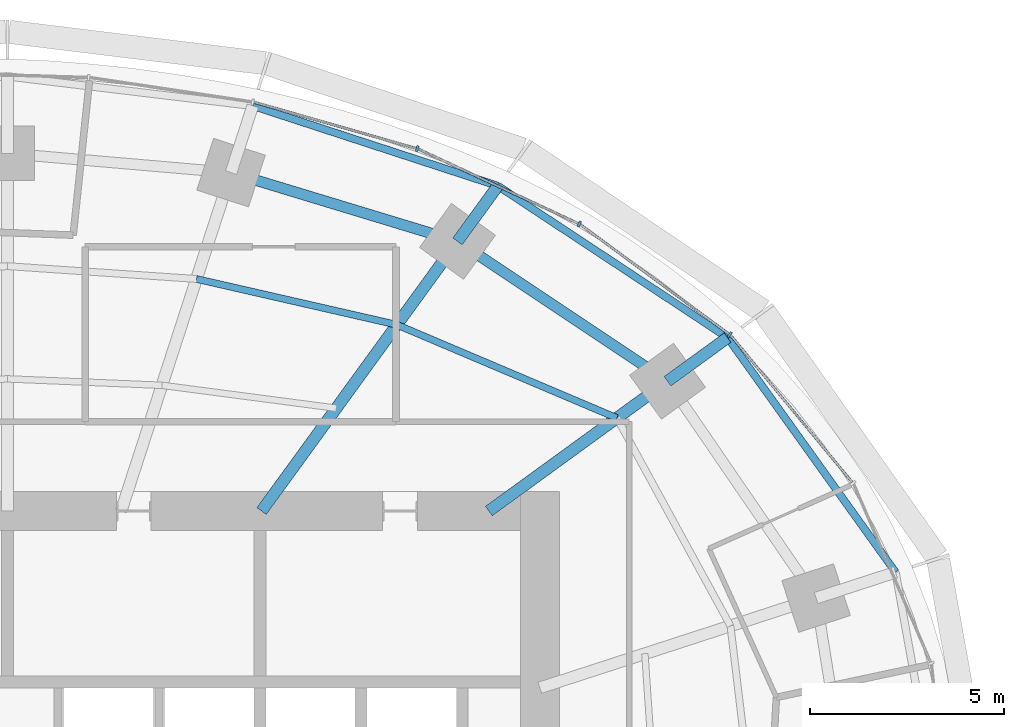
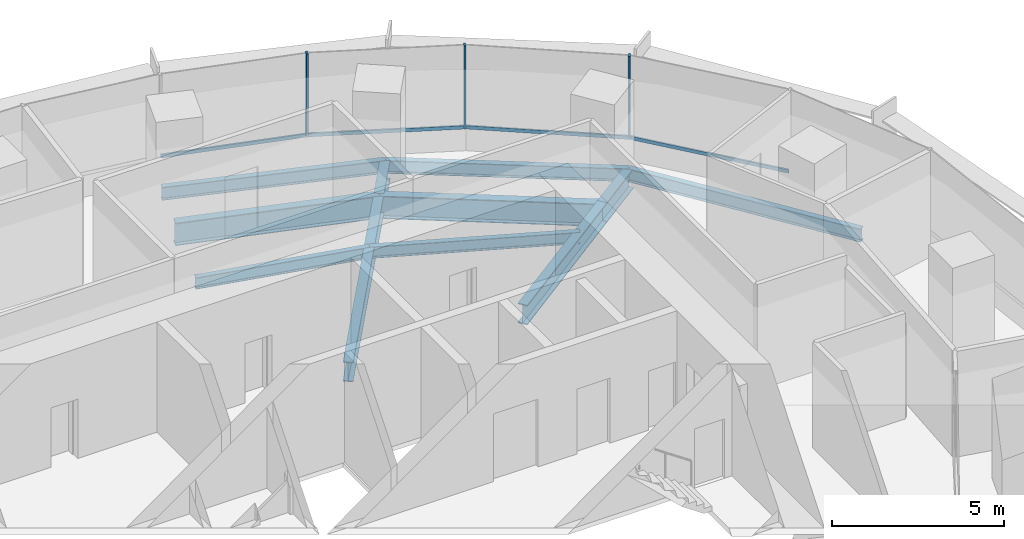
# One storey, part 8 of 15: 11 beams, 7 members, 2 elements without a shape of their own.
"""IFC4 building model written with IfcOpenShell, lengths in metres."""

from ifc_helpers import new_model, si_unit, direction, frame, origin, origin_2d, place, context, subcontext, project, spatial, rectangle, i_section, extrude, material, material_profile, profile_set, type_object, element, aggregate, save


model = new_model("IFC4")

# Units and contexts
model_context = context("Model", 3, precision=1e-05, world=origin(), true_north=direction((0.0, 1.0)))
body_context = subcontext(model_context, "Body", "Model", "MODEL_VIEW")
ifc_project = project(units=[si_unit("LENGTHUNIT", "METRE"), si_unit("AREAUNIT", "SQUARE_METRE"), si_unit("VOLUMEUNIT", "CUBIC_METRE"), si_unit("PLANEANGLEUNIT", "RADIAN"), si_unit("MASSUNIT", "GRAM", prefix="KILO")], contexts=[model_context])

# Site, building, storey
site_placement = place(None, origin())
site = spatial("IfcSite", under=ifc_project, at=site_placement, CompositionType="ELEMENT")
building_placement = place(site_placement, origin())
building = spatial("IfcBuilding", under=site, at=building_placement, Name="Marramba Exchange Tower", CompositionType="ELEMENT")
storey_placement = place(building_placement, frame((0.0, 0.0, 207.199951171875)))
storey = spatial("IfcBuildingStorey", under=building, at=storey_placement, Name="L50", CompositionType="ELEMENT", Elevation=207.199951171875)

# Beams
ifc_material_1 = material(Name="Steel AS/NZS 3679.2 grade 300", Category="steel")
ifc_material_profile_1 = material_profile(ifc_material_1, i_section(OverallWidth=0.300048828125, OverallDepth=0.699951171875, WebThickness=0.010009765625, FlangeThickness=0.031982421875, at=origin_2d()), Name="700WB173")
ifc_profile_set_1 = profile_set([ifc_material_profile_1], Name="Steel AS/NZS 3679.2 grade 300")
beam_type_1 = type_object("IfcBeamType", Name="Cantilever girder 700WB173", PredefinedType="BEAM", material=ifc_profile_set_1)
beam_1_placement = place(storey_placement, frame((16.98583984375, 12.3408203125, -0.510009765625), z_axis=(0.808962750283, 0.587859905636, 0.0), x_axis=(-0.587859905636, 0.808962750283, 0.0)))
element("IfcBeam", 1, at=beam_1_placement, inside=storey, type_object=beam_type_1, Name="Cantilever girder L50 TC03", PredefinedType="BEAM", context=body_context, shape_type="SweptSolid", body=[
    extrude(i_section(OverallWidth=0.300048828125, OverallDepth=0.699951171875, WebThickness=0.010009765625, FlangeThickness=0.031982421875, at=origin_2d()), origin(), (0.0, 0.0, 1.0), 1.9091796875),
])
beam_2_placement = place(storey_placement, frame((11.581298828125, 15.9404296875, -0.510009765625), z_axis=(0.587817766387, 0.808993370504, 0.0), x_axis=(-0.808993370504, 0.587817766387, 0.0)))
element("IfcBeam", 2, at=beam_2_placement, inside=storey, type_object=beam_type_1, Name="Cantilever girder L50 TC04", PredefinedType="BEAM", context=body_context, shape_type="SweptSolid", body=[
    extrude(i_section(OverallWidth=0.300048828125, OverallDepth=0.699951171875, WebThickness=0.010009765625, FlangeThickness=0.031982421875, at=origin_2d()), origin(), (0.0, 0.0, 1.0), 1.763916015625),
])
ifc_material_2 = material(Name="Steel AS/NZS 3679.1 grade 300", Category="steel")
ifc_material_profile_2 = material_profile(ifc_material_2, i_section(OverallWidth=0.177978515625, OverallDepth=0.406005859375, WebThickness=0.0078125, FlangeThickness=0.0126953125, FilletRadius=0.011474609375, at=origin_2d()), Name="410UB59.7")
ifc_profile_set_2 = profile_set([ifc_material_profile_2], Name="Steel AS/NZS 3679.1 grade 300")
beam_type_2 = type_object("IfcBeamType", Name="Floor joist 410UB59.7", PredefinedType="JOIST", material=ifc_profile_set_2)
beam_3_placement = place(storey_placement, frame((15.682373046875, 11.393798828125, -0.363037109375), z_axis=(-0.920674336375, 0.390331610738, 0.0), x_axis=(-0.390331610738, -0.920674336375, 0.0)))
element("IfcBeam", 3, at=beam_3_placement, inside=storey, type_object=beam_type_2, Name="Joist L50 bay 03 row 2", PredefinedType="JOIST", context=body_context, shape_type="SweptSolid", body=[
    extrude(i_section(OverallWidth=0.177978515625, OverallDepth=0.406005859375, WebThickness=0.0078125, FlangeThickness=0.0126953125, FilletRadius=0.011474609375, at=origin_2d()), origin(), (0.0, 0.0, 1.0), 6.1484375),
])
beam_4_placement = place(storey_placement, frame((10.021728515625, 13.793701171875, -0.363037109375), z_axis=(-0.974859652292, 0.222819788916, 0.0), x_axis=(-0.222819788916, -0.974859652292, 0.0)))
element("IfcBeam", 4, at=beam_4_placement, inside=storey, type_object=beam_type_2, Name="Joist L50 bay 04 row 2", PredefinedType="JOIST", context=body_context, shape_type="SweptSolid", body=[
    extrude(i_section(OverallWidth=0.177978515625, OverallDepth=0.406005859375, WebThickness=0.0078125, FlangeThickness=0.0126953125, FilletRadius=0.011474609375, at=origin_2d()), origin(), (0.0, 0.0, 1.0), 5.2900390625),
])

# Curtain wall, members
ifc_material_3 = material(Name="Aluminium framing, bronze anodised", Category="aluminium")
curtain_wall_type = type_object("IfcCurtainWallType", Name="Office ribbon curtain wall", PredefinedType="USERDEFINED", material=ifc_material_3)
curtain_wall_1_placement = place(storey_placement, origin())
curtain_wall_1 = element("IfcCurtainWall", 5, at=curtain_wall_1_placement, inside=storey, type_object=curtain_wall_type, Name="Curtain wall CW4 L50 F01-F05", ObjectType="RIBBON CURTAIN WALL", PredefinedType="USERDEFINED")
ifc_material_4 = material(Name="Aluminium mullion, bronze anodised", Category="aluminium")
ifc_material_profile_3 = material_profile(ifc_material_4, rectangle(XDim=0.159912109375, YDim=0.06005859375, at=origin_2d()), Name="CW4 mullion 60x160")
ifc_profile_set_3 = profile_set([ifc_material_profile_3], Name="Aluminium mullion, bronze anodised")
member_type_1 = type_object("IfcMemberType", Name="Office ribbon curtain wall mullion", PredefinedType="MULLION", material=ifc_profile_set_3)
member_1_placement = place(storey_placement, frame((18.587158203125, 13.53955078125, 0.800048828125), z_axis=(0.0, 0.0, 1.0), x_axis=(-0.593441317494, -0.804877259395, 0.0)))
member_1 = element("IfcMember", 6, at=member_1_placement, type_object=member_type_1, Name="CW4 mullion 1", PredefinedType="MULLION", context=body_context, shape_type="SweptSolid", body=[
    extrude(rectangle(XDim=0.159912109375, YDim=0.06005859375, at=origin_2d()), origin(), (0.0, 0.0, 1.0), 2.93994140625),
])
member_2_placement = place(storey_placement, frame((14.7158203125, 16.386474609375, 0.800048828125), z_axis=(0.0, 0.0, 1.0), x_axis=(-0.422133006189, -0.906533907301, 0.0)))
member_2 = element("IfcMember", 7, at=member_2_placement, type_object=member_type_1, Name="CW4 mullion 1", PredefinedType="MULLION", context=body_context, shape_type="SweptSolid", body=[
    extrude(rectangle(XDim=0.159912109375, YDim=0.06005859375, at=origin_2d()), origin(), (0.0, 0.0, 1.0), 2.93994140625),
])

# Curtain wall, member
curtain_wall_2_placement = place(storey_placement, origin())
curtain_wall_2 = element("IfcCurtainWall", 8, at=curtain_wall_2_placement, inside=storey, type_object=curtain_wall_type, Name="Curtain wall CW4 L50 F06-F10", ObjectType="RIBBON CURTAIN WALL", PredefinedType="USERDEFINED")
member_3_placement = place(storey_placement, frame((10.54541015625, 18.3232421875, 0.800048828125), z_axis=(0.0, 0.0, 1.0), x_axis=(-0.274248164656, -0.961658954195, 0.0)))
member_3 = element("IfcMember", 9, at=member_3_placement, type_object=member_type_1, Name="CW4 mullion 1", PredefinedType="MULLION", context=body_context, shape_type="SweptSolid", body=[
    extrude(rectangle(XDim=0.159912109375, YDim=0.06005859375, at=origin_2d()), origin(), (0.0, 0.0, 1.0), 2.93994140625),
])

# Member
ifc_material_5 = material(Name="Aluminium transom, bronze anodised", Category="aluminium")
ifc_material_profile_4 = material_profile(ifc_material_5, rectangle(XDim=0.06005859375, YDim=0.1201171875, at=origin_2d()), Name="CW4 transom 60x120")
ifc_profile_set_4 = profile_set([ifc_material_profile_4], Name="Aluminium transom, bronze anodised")
member_type_2 = type_object("IfcMemberType", Name="Office ribbon curtain wall transom", PredefinedType="USERDEFINED", material=ifc_profile_set_4)
member_4_placement = place(storey_placement, frame((21.73779296875, 9.74169921875, 0.830078125), z_axis=(-0.637375191043, 0.770553609973, 0.0), x_axis=(-0.770553609973, -0.637375191043, 0.0)))
member_4 = element("IfcMember", 10, at=member_4_placement, type_object=member_type_2, Name="CW4 sill transom", ObjectType="TRANSOM", PredefinedType="USERDEFINED", context=body_context, shape_type="SweptSolid", body=[
    extrude(rectangle(XDim=0.06005859375, YDim=0.1201171875, at=origin_2d()), origin(), (0.0, 0.0, 1.0), 4.905517578125),
])

member_5_placement = place(storey_placement, frame((18.56298828125, 13.557373046875, 0.830078125), z_axis=(-0.804874780157, 0.593444680039, 0.0), x_axis=(-0.593444680039, -0.804874780157, 0.0)))
member_5 = element("IfcMember", 11, at=member_5_placement, type_object=member_type_2, Name="CW4 sill transom", ObjectType="TRANSOM", PredefinedType="USERDEFINED", context=body_context, shape_type="SweptSolid", body=[
    extrude(rectangle(XDim=0.06005859375, YDim=0.1201171875, at=origin_2d()), origin(), (0.0, 0.0, 1.0), 4.745849609375),
])

member_6_placement = place(storey_placement, frame((14.688720703125, 16.399169921875, 0.830078125), z_axis=(-0.906548348139, 0.422101992989, 0.0), x_axis=(-0.422101992989, -0.906548348139, 0.0)))
member_6 = element("IfcMember", 12, at=member_6_placement, type_object=member_type_2, Name="CW4 sill transom", ObjectType="TRANSOM", PredefinedType="USERDEFINED", context=body_context, shape_type="SweptSolid", body=[
    extrude(rectangle(XDim=0.06005859375, YDim=0.1201171875, at=origin_2d()), origin(), (0.0, 0.0, 1.0), 4.53857421875),
])

aggregate(curtain_wall_1, [member_4, member_1, member_5, member_2, member_6])

member_7_placement = place(storey_placement, frame((10.5166015625, 18.33154296875, 0.830078125), z_axis=(-0.961661807825, 0.274238158125, 0.0), x_axis=(-0.274238158125, -0.961661807825, 0.0)))
member_7 = element("IfcMember", 13, at=member_7_placement, type_object=member_type_2, Name="CW4 sill transom", ObjectType="TRANSOM", PredefinedType="USERDEFINED", context=body_context, shape_type="SweptSolid", body=[
    extrude(rectangle(XDim=0.06005859375, YDim=0.1201171875, at=origin_2d()), origin(), (0.0, 0.0, 1.0), 4.340087890625),
])

aggregate(curtain_wall_2, [member_3, member_7])

# Beams
ifc_material_profile_5 = material_profile(ifc_material_1, i_section(OverallWidth=0.300048828125, OverallDepth=0.699951171875, WebThickness=0.010009765625, FlangeThickness=0.031982421875, at=origin_2d()), Name="700WB173")
ifc_profile_set_5 = profile_set([ifc_material_profile_5], Name="Steel AS/NZS 3679.2 grade 300")
beam_type_3 = type_object("IfcBeamType", Name="Radial girder 700WB173", PredefinedType="BEAM", material=ifc_profile_set_5)
beam_5_placement = place(storey_placement, frame((12.387451171875, 9.0, -0.510009765625), z_axis=(0.809025746925, 0.587773205252, 0.0), x_axis=(-0.587773205252, 0.809025746925, 0.0)))
element("IfcBeam", 14, at=beam_5_placement, inside=storey, type_object=beam_type_3, Name="Radial girder L50 TC03", PredefinedType="BEAM", context=body_context, shape_type="SweptSolid", body=[
    extrude(i_section(OverallWidth=0.300048828125, OverallDepth=0.699951171875, WebThickness=0.010009765625, FlangeThickness=0.031982421875, at=origin_2d()), origin(), (0.0, 0.0, 1.0), 5.683837890625),
])
beam_6_placement = place(storey_placement, frame((6.538818359375, 9.0, -0.510009765625), z_axis=(0.587782439969, 0.80901903764, 0.0), x_axis=(-0.80901903764, 0.587782439969, 0.0)))
element("IfcBeam", 15, at=beam_6_placement, inside=storey, type_object=beam_type_3, Name="Radial girder L50 TC04", PredefinedType="BEAM", context=body_context, shape_type="SweptSolid", body=[
    extrude(i_section(OverallWidth=0.300048828125, OverallDepth=0.699951171875, WebThickness=0.010009765625, FlangeThickness=0.031982421875, at=origin_2d()), origin(), (0.0, 0.0, 1.0), 8.578857421875),
])
ifc_material_profile_6 = material_profile(ifc_material_1, i_section(OverallWidth=0.27490234375, OverallDepth=0.800048828125, WebThickness=0.010009765625, FlangeThickness=0.02490234375, at=origin_2d()), Name="800WB168")
ifc_profile_set_6 = profile_set([ifc_material_profile_6], Name="Steel AS/NZS 3679.2 grade 300")
beam_type_4 = type_object("IfcBeamType", Name="Ring beam 800WB168", PredefinedType="SPANDREL", material=ifc_profile_set_6)
beam_7_placement = place(storey_placement, frame((16.98583984375, 12.3408203125, -0.56005859375), z_axis=(-0.832293151443, 0.554335737673, 0.0), x_axis=(-0.554335737673, -0.832293151443, 0.0)))
element("IfcBeam", 16, at=beam_7_placement, inside=storey, type_object=beam_type_4, Name="Ring beam L50 TC03-TC04", PredefinedType="SPANDREL", context=body_context, shape_type="SweptSolid", body=[
    extrude(i_section(OverallWidth=0.27490234375, OverallDepth=0.800048828125, WebThickness=0.010009765625, FlangeThickness=0.02490234375, at=origin_2d()), origin(), (0.0, 0.0, 1.0), 6.49365234375),
])
beam_8_placement = place(storey_placement, frame((11.581298828125, 15.9404296875, -0.56005859375), z_axis=(-0.956924542524, 0.290336735387, 0.0), x_axis=(-0.290336735387, -0.956924542524, 0.0)))
element("IfcBeam", 17, at=beam_8_placement, inside=storey, type_object=beam_type_4, Name="Ring beam L50 TC04-TC05", PredefinedType="SPANDREL", context=body_context, shape_type="SweptSolid", body=[
    extrude(i_section(OverallWidth=0.27490234375, OverallDepth=0.800048828125, WebThickness=0.010009765625, FlangeThickness=0.02490234375, at=origin_2d()), origin(), (0.0, 0.0, 1.0), 6.089599609375),
])
ifc_material_profile_7 = material_profile(ifc_material_2, i_section(OverallWidth=0.19091796875, OverallDepth=0.4599609375, WebThickness=0.010009765625, FlangeThickness=0.01611328125, FilletRadius=0.011474609375, at=origin_2d()), Name="460UB82.1")
ifc_profile_set_7 = profile_set([ifc_material_profile_7], Name="Steel AS/NZS 3679.1 grade 300")
beam_type_5 = type_object("IfcBeamType", Name="Slab edge beam 460UB82.1", PredefinedType="SPANDREL", material=ifc_profile_set_7)
beam_9_placement = place(storey_placement, frame((22.853515625, 7.425537109375, -0.389892578125), z_axis=(-0.582189457885, 0.813053156398, 0.0), x_axis=(-0.813053156398, -0.582189457885, 0.0)))
element("IfcBeam", 18, at=beam_9_placement, inside=storey, type_object=beam_type_5, Name="Slab edge beam L50 TC02-TC03", PredefinedType="SPANDREL", context=body_context, shape_type="SweptSolid", body=[
    extrude(i_section(OverallWidth=0.19091796875, OverallDepth=0.4599609375, WebThickness=0.010009765625, FlangeThickness=0.01611328125, FilletRadius=0.011474609375, at=origin_2d()), origin(), (0.0, 0.0, 1.0), 7.42578125),
])
beam_10_placement = place(storey_placement, frame((18.5302734375, 13.463134765625, -0.389892578125), z_axis=(-0.834459826117, 0.551068778463, 0.0), x_axis=(-0.551068778463, -0.834459826117, 0.0)))
element("IfcBeam", 19, at=beam_10_placement, inside=storey, type_object=beam_type_5, Name="Slab edge beam L50 TC03-TC04", PredefinedType="SPANDREL", context=body_context, shape_type="SweptSolid", body=[
    extrude(i_section(OverallWidth=0.19091796875, OverallDepth=0.4599609375, WebThickness=0.010009765625, FlangeThickness=0.01611328125, FilletRadius=0.011474609375, at=origin_2d()), origin(), (0.0, 0.0, 1.0), 7.0849609375),
])
beam_11_placement = place(storey_placement, frame((12.6181640625, 17.367431640625, -0.389892578125), z_axis=(-0.950608559101, 0.310392279809, 0.0), x_axis=(-0.310392279809, -0.950608559101, 0.0)))
element("IfcBeam", 20, at=beam_11_placement, inside=storey, type_object=beam_type_5, Name="Slab edge beam L50 TC04-TC05", PredefinedType="SPANDREL", context=body_context, shape_type="SweptSolid", body=[
    extrude(i_section(OverallWidth=0.19091796875, OverallDepth=0.4599609375, WebThickness=0.010009765625, FlangeThickness=0.01611328125, FilletRadius=0.011474609375, at=origin_2d()), origin(), (0.0, 0.0, 1.0), 6.6337890625),
])

save(model, "model.ifc")
